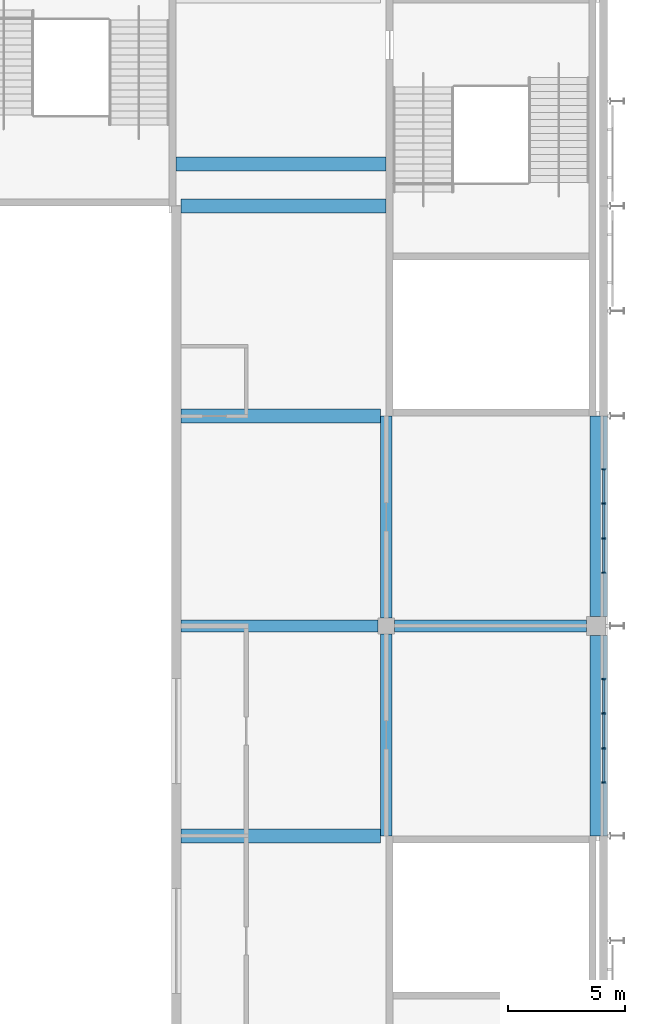
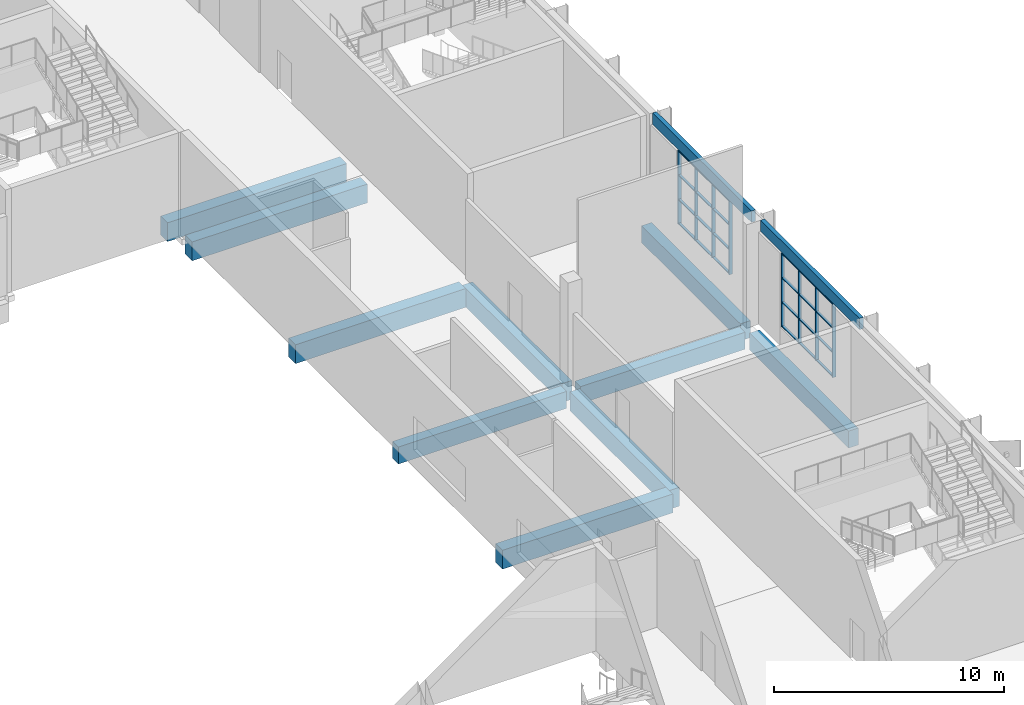
# One storey, part 23 of 84: 32 members, 12 beams, 2 elements without a shape of their own.
"""IFC4 building model written with IfcOpenShell, lengths in metres."""

from ifc_helpers import new_model, si_unit, direction, frame, origin, origin_2d, place, context, subcontext, project, spatial, rectangle, extrude, material, material_profile, profile_set, type_object, element, aggregate, save


model = new_model("IFC4")

# Units and contexts
model_context = context("Model", 3, precision=1e-05, world=origin(), true_north=direction((0.0, 1.0)))
body_context = subcontext(model_context, "Body", "Model", "MODEL_VIEW")
ifc_project = project(units=[si_unit("LENGTHUNIT", "METRE"), si_unit("AREAUNIT", "SQUARE_METRE"), si_unit("VOLUMEUNIT", "CUBIC_METRE"), si_unit("PLANEANGLEUNIT", "RADIAN"), si_unit("MASSUNIT", "GRAM", prefix="KILO")], contexts=[model_context])

# Site, building, storey
site_placement = place(None, origin())
site = spatial("IfcSite", under=ifc_project, at=site_placement, CompositionType="ELEMENT")
building_placement = place(site_placement, origin())
building = spatial("IfcBuilding", under=site, at=building_placement, Name="Silverbay Arena", CompositionType="ELEMENT")
storey_placement = place(building_placement, frame((0.0, 0.0, 28.0)))
storey = spatial("IfcBuildingStorey", under=building, at=storey_placement, Name="L04", CompositionType="ELEMENT", Elevation=28.0)

# Curtain wall, members
ifc_material_1 = material(Name="Aluminium framed curtain wall", Category="aluminium")
curtain_wall_type = type_object("IfcCurtainWallType", Name="Curtain wall 4500 x 3900", PredefinedType="NOTDEFINED", material=ifc_material_1)
curtain_wall_1_placement = place(storey_placement, origin())
curtain_wall_1 = element("IfcCurtainWall", 1, at=curtain_wall_1_placement, inside=storey, type_object=curtain_wall_type, Name="East curtain wall L04 bay 7", PredefinedType="NOTDEFINED")
ifc_material_2 = material(Name="Aluminium", Category="aluminium")
ifc_material_profile_1 = material_profile(ifc_material_2, rectangle(XDim=0.159912109375, YDim=0.06005859375, at=origin_2d()), Name="Mullion 60 x 160")
ifc_profile_set_1 = profile_set([ifc_material_profile_1], Name="Aluminium")
member_type_1 = type_object("IfcMemberType", Name="Mullion 60 x 160", PredefinedType="MULLION", material=ifc_profile_set_1)
member_1_placement = place(storey_placement, frame((207.330078125, 74.280029296875, 1.0), z_axis=(0.0, 0.0, 1.0), x_axis=(-1.0, 0.0, 0.0)))
member_1 = element("IfcMember", 2, at=member_1_placement, type_object=member_type_1, Name="CW15 mullion 1", PredefinedType="MULLION", context=body_context, shape_type="SweptSolid", body=[
    extrude(rectangle(XDim=0.159912109375, YDim=0.06005859375, at=origin_2d()), origin(), (0.0, 0.0, 1.0), 3.89990234375),
])
member_2_placement = place(storey_placement, frame((207.330078125, 75.75, 1.0), z_axis=(0.0, 0.0, 1.0), x_axis=(-1.0, 0.0, 0.0)))
member_2 = element("IfcMember", 3, at=member_2_placement, type_object=member_type_1, Name="CW15 mullion 2", PredefinedType="MULLION", context=body_context, shape_type="SweptSolid", body=[
    extrude(rectangle(XDim=0.159912109375, YDim=0.06005859375, at=origin_2d()), origin(), (0.0, 0.0, 1.0), 3.89990234375),
])
member_3_placement = place(storey_placement, frame((207.330078125, 77.25, 1.0), z_axis=(0.0, 0.0, 1.0), x_axis=(-1.0, 0.0, 0.0)))
member_3 = element("IfcMember", 4, at=member_3_placement, type_object=member_type_1, Name="CW15 mullion 3", PredefinedType="MULLION", context=body_context, shape_type="SweptSolid", body=[
    extrude(rectangle(XDim=0.159912109375, YDim=0.06005859375, at=origin_2d()), origin(), (0.0, 0.0, 1.0), 3.89990234375),
])
member_4_placement = place(storey_placement, frame((207.330078125, 78.719970703125, 1.0), z_axis=(0.0, 0.0, 1.0), x_axis=(-1.0, 0.0, 0.0)))
member_4 = element("IfcMember", 5, at=member_4_placement, type_object=member_type_1, Name="CW15 mullion 4", PredefinedType="MULLION", context=body_context, shape_type="SweptSolid", body=[
    extrude(rectangle(XDim=0.159912109375, YDim=0.06005859375, at=origin_2d()), origin(), (0.0, 0.0, 1.0), 3.89990234375),
])

curtain_wall_2_placement = place(storey_placement, origin())
curtain_wall_2 = element("IfcCurtainWall", 6, at=curtain_wall_2_placement, inside=storey, type_object=curtain_wall_type, Name="East curtain wall L04 bay 8", PredefinedType="NOTDEFINED")
member_5_placement = place(storey_placement, frame((207.330078125, 83.280029296875, 1.0), z_axis=(0.0, 0.0, 1.0), x_axis=(-1.0, 0.0, 0.0)))
member_5 = element("IfcMember", 7, at=member_5_placement, type_object=member_type_1, Name="CW15 mullion 1", PredefinedType="MULLION", context=body_context, shape_type="SweptSolid", body=[
    extrude(rectangle(XDim=0.159912109375, YDim=0.06005859375, at=origin_2d()), origin(), (0.0, 0.0, 1.0), 3.89990234375),
])
member_6_placement = place(storey_placement, frame((207.330078125, 84.75, 1.0), z_axis=(0.0, 0.0, 1.0), x_axis=(-1.0, 0.0, 0.0)))
member_6 = element("IfcMember", 8, at=member_6_placement, type_object=member_type_1, Name="CW15 mullion 2", PredefinedType="MULLION", context=body_context, shape_type="SweptSolid", body=[
    extrude(rectangle(XDim=0.159912109375, YDim=0.06005859375, at=origin_2d()), origin(), (0.0, 0.0, 1.0), 3.89990234375),
])
member_7_placement = place(storey_placement, frame((207.330078125, 86.25, 1.0), z_axis=(0.0, 0.0, 1.0), x_axis=(-1.0, 0.0, 0.0)))
member_7 = element("IfcMember", 9, at=member_7_placement, type_object=member_type_1, Name="CW15 mullion 3", PredefinedType="MULLION", context=body_context, shape_type="SweptSolid", body=[
    extrude(rectangle(XDim=0.159912109375, YDim=0.06005859375, at=origin_2d()), origin(), (0.0, 0.0, 1.0), 3.89990234375),
])
member_8_placement = place(storey_placement, frame((207.330078125, 87.719970703125, 1.0), z_axis=(0.0, 0.0, 1.0), x_axis=(-1.0, 0.0, 0.0)))
member_8 = element("IfcMember", 10, at=member_8_placement, type_object=member_type_1, Name="CW15 mullion 4", PredefinedType="MULLION", context=body_context, shape_type="SweptSolid", body=[
    extrude(rectangle(XDim=0.159912109375, YDim=0.06005859375, at=origin_2d()), origin(), (0.0, 0.0, 1.0), 3.89990234375),
])

# Beams
ifc_material_3 = material(Name="Concrete Grade C45", Category="concrete")
ifc_material_profile_2 = material_profile(ifc_material_3, rectangle(XDim=0.5, YDim=1.0, at=origin_2d()), Name="RC 500x1000")
ifc_profile_set_2 = profile_set([ifc_material_profile_2], Name="Concrete Grade C45")
beam_type_1 = type_object("IfcBeamType", Name="RC beam 500x1000", PredefinedType="BEAM", material=ifc_profile_set_2)
for number, where, z_axis, x_axis, name in (
    (11, (198.0, 72.0, -0.800048828125), (0.0, 1.0, 0.0), (-1.0, 0.0, 0.0), "Floor beam L04 148"),
    (12, (198.0, 81.35009765625, -0.800048828125), (0.0, 1.0, 0.0), (-1.0, 0.0, 0.0), "Floor beam L04 149"),
):
    element("IfcBeam", number, at=place(storey_placement, frame(where, z_axis=z_axis, x_axis=x_axis)), inside=storey, type_object=beam_type_1, Name=name, PredefinedType="BEAM", context=body_context, shape_type="SweptSolid", body=[
        extrude(rectangle(XDim=0.5, YDim=1.0, at=origin_2d()), origin(), (0.0, 0.0, 1.0), 8.64990234375),
    ])
ifc_material_4 = material(Name="Concrete Grade C45", Category="concrete")
ifc_material_profile_3 = material_profile(ifc_material_4, rectangle(XDim=0.5, YDim=0.89990234375, at=origin_2d()), Name="RC 500x900")
ifc_profile_set_3 = profile_set([ifc_material_profile_3], Name="Concrete Grade C45")
beam_type_2 = type_object("IfcBeamType", Name="RC beam 500x900", PredefinedType="BEAM", material=ifc_profile_set_3)
beam_1_placement = place(storey_placement, frame((189.199951171875, 81.0, -0.75), z_axis=(1.0, 0.0, 0.0), x_axis=(0.0, 1.0, 0.0)))
element("IfcBeam", 13, at=beam_1_placement, inside=storey, type_object=beam_type_2, Name="Floor beam L04 039", PredefinedType="BEAM", context=body_context, shape_type="SweptSolid", body=[
    extrude(rectangle(XDim=0.5, YDim=0.89990234375, at=origin_2d()), origin(), (0.0, 0.0, 1.0), 8.449951171875),
])
beam_2_placement = place(storey_placement, frame((198.35009765625, 81.0, -0.75), z_axis=(1.0, 0.0, 0.0), x_axis=(0.0, 1.0, 0.0)))
element("IfcBeam", 14, at=beam_2_placement, inside=storey, type_object=beam_type_2, Name="Floor beam L04 040", PredefinedType="BEAM", context=body_context, shape_type="SweptSolid", body=[
    extrude(rectangle(XDim=0.5, YDim=0.89990234375, at=origin_2d()), origin(), (0.0, 0.0, 1.0), 8.25),
])
for number, where, z_axis, x_axis, name in (
    (15, (207.0, 72.0, -0.75), (0.0, 1.0, 0.0), (-1.0, 0.0, 0.0), "Floor beam L04 156"),
    (16, (207.0, 81.39990234375, -0.75), (0.0, 1.0, 0.0), (-1.0, 0.0, 0.0), "Floor beam L04 157"),
):
    element("IfcBeam", number, at=place(storey_placement, frame(where, z_axis=z_axis, x_axis=x_axis)), inside=storey, type_object=beam_type_2, Name=name, PredefinedType="BEAM", context=body_context, shape_type="SweptSolid", body=[
        extrude(rectangle(XDim=0.5, YDim=0.89990234375, at=origin_2d()), origin(), (0.0, 0.0, 1.0), 8.60009765625),
    ])
ifc_material_5 = material(Name="Concrete Grade C45", Category="concrete")
ifc_material_profile_4 = material_profile(ifc_material_5, rectangle(XDim=0.60009765625, YDim=1.0, at=origin_2d()), Name="RC 600x1000")
ifc_profile_set_4 = profile_set([ifc_material_profile_4], Name="Concrete Grade C45")
beam_type_3 = type_object("IfcBeamType", Name="RC beam 600x1000", PredefinedType="BEAM", material=ifc_profile_set_4)
for number, where, z_axis, x_axis, name in (
    (17, (189.199951171875, 72.0, -0.800048828125), (1.0, 0.0, 0.0), (0.0, 1.0, 0.0), "Floor beam L04 036"),
    (18, (189.199951171875, 90.0, -0.800048828125), (1.0, 0.0, 0.0), (0.0, 1.0, 0.0), "Floor beam L04 042"),
):
    element("IfcBeam", number, at=place(storey_placement, frame(where, z_axis=z_axis, x_axis=x_axis)), inside=storey, type_object=beam_type_3, Name=name, PredefinedType="BEAM", context=body_context, shape_type="SweptSolid", body=[
        extrude(rectangle(XDim=0.60009765625, YDim=1.0, at=origin_2d()), origin(), (0.0, 0.0, 1.0), 8.550048828125),
    ])
beam_3_placement = place(storey_placement, frame((189.199951171875, 99.0, -0.800048828125), z_axis=(1.0, 0.0, 0.0), x_axis=(0.0, 1.0, 0.0)))
element("IfcBeam", 19, at=beam_3_placement, inside=storey, type_object=beam_type_3, Name="Floor beam L04 046", PredefinedType="BEAM", context=body_context, shape_type="SweptSolid", body=[
    extrude(rectangle(XDim=0.60009765625, YDim=1.0, at=origin_2d()), origin(), (0.0, 0.0, 1.0), 8.800048828125),
])
beam_4_placement = place(storey_placement, frame((189.0, 100.800048828125, -0.800048828125), z_axis=(1.0, 0.0, 0.0), x_axis=(0.0, 1.0, 0.0)))
element("IfcBeam", 20, at=beam_4_placement, inside=storey, type_object=beam_type_3, Name="Floor beam L04 050", PredefinedType="BEAM", context=body_context, shape_type="SweptSolid", body=[
    extrude(rectangle(XDim=0.60009765625, YDim=1.0, at=origin_2d()), origin(), (0.0, 0.0, 1.0), 9.0),
])
ifc_material_6 = material(Name="Concrete Grade C45", Category="concrete")
ifc_material_profile_5 = material_profile(ifc_material_6, rectangle(XDim=0.199951171875, YDim=0.60009765625, at=origin_2d()), Name="RC 200x600")
ifc_profile_set_5 = profile_set([ifc_material_profile_5], Name="Concrete Grade C45")
beam_type_4 = type_object("IfcBeamType", Name="RC facade beam 200x600", PredefinedType="SPANDREL", material=ifc_profile_set_5)
for number, where, z_axis, x_axis, name in (
    (21, (207.39990234375, 72.0, 5.199951171875), (0.0, 1.0, 0.0), (-1.0, 0.0, 0.0), "Facade beam L04 east"),
    (22, (207.39990234375, 81.39990234375, 5.199951171875), (0.0, 1.0, 0.0), (-1.0, 0.0, 0.0), "Facade beam L04 east"),
):
    element("IfcBeam", number, at=place(storey_placement, frame(where, z_axis=z_axis, x_axis=x_axis)), inside=storey, type_object=beam_type_4, Name=name, PredefinedType="SPANDREL", context=body_context, shape_type="SweptSolid", body=[
        extrude(rectangle(XDim=0.199951171875, YDim=0.60009765625, at=origin_2d()), origin(), (0.0, 0.0, 1.0), 8.60009765625),
    ])

# Member
ifc_material_7 = material(Name="Aluminium", Category="aluminium")
ifc_material_profile_6 = material_profile(ifc_material_7, rectangle(XDim=0.1201171875, YDim=0.050048828125, at=origin_2d()), Name="Transom 50 x 120")
ifc_profile_set_6 = profile_set([ifc_material_profile_6], Name="Aluminium")
member_type_2 = type_object("IfcMemberType", Name="Transom 50 x 120", PredefinedType="USERDEFINED", material=ifc_profile_set_6)
member_9_placement = place(storey_placement, frame((207.330078125, 74.31005859375, 1.02490234375), z_axis=(0.0, 1.0, 0.0), x_axis=(-1.0, 0.0, 0.0)))
member_9 = element("IfcMember", 23, at=member_9_placement, type_object=member_type_2, Name="CW15 transom 1.1", ObjectType="TRANSOM", PredefinedType="USERDEFINED", context=body_context, shape_type="SweptSolid", body=[
    extrude(rectangle(XDim=0.1201171875, YDim=0.050048828125, at=origin_2d()), origin(), (0.0, 0.0, 1.0), 1.409912109375),
])

member_10_placement = place(storey_placement, frame((207.330078125, 74.31005859375, 2.300048828125), z_axis=(0.0, 1.0, 0.0), x_axis=(-1.0, 0.0, 0.0)))
member_10 = element("IfcMember", 24, at=member_10_placement, type_object=member_type_2, Name="CW15 transom 1.2", ObjectType="TRANSOM", PredefinedType="USERDEFINED", context=body_context, shape_type="SweptSolid", body=[
    extrude(rectangle(XDim=0.1201171875, YDim=0.050048828125, at=origin_2d()), origin(), (0.0, 0.0, 1.0), 1.409912109375),
])

member_11_placement = place(storey_placement, frame((207.330078125, 74.31005859375, 3.60009765625), z_axis=(0.0, 1.0, 0.0), x_axis=(-1.0, 0.0, 0.0)))
member_11 = element("IfcMember", 25, at=member_11_placement, type_object=member_type_2, Name="CW15 transom 1.3", ObjectType="TRANSOM", PredefinedType="USERDEFINED", context=body_context, shape_type="SweptSolid", body=[
    extrude(rectangle(XDim=0.1201171875, YDim=0.050048828125, at=origin_2d()), origin(), (0.0, 0.0, 1.0), 1.409912109375),
])

member_12_placement = place(storey_placement, frame((207.330078125, 74.31005859375, 4.875), z_axis=(0.0, 1.0, 0.0), x_axis=(-1.0, 0.0, 0.0)))
member_12 = element("IfcMember", 26, at=member_12_placement, type_object=member_type_2, Name="CW15 transom 1.4", ObjectType="TRANSOM", PredefinedType="USERDEFINED", context=body_context, shape_type="SweptSolid", body=[
    extrude(rectangle(XDim=0.1201171875, YDim=0.050048828125, at=origin_2d()), origin(), (0.0, 0.0, 1.0), 1.409912109375),
])

member_13_placement = place(storey_placement, frame((207.330078125, 75.780029296875, 1.02490234375), z_axis=(0.0, 1.0, 0.0), x_axis=(-1.0, 0.0, 0.0)))
member_13 = element("IfcMember", 27, at=member_13_placement, type_object=member_type_2, Name="CW15 transom 2.1", ObjectType="TRANSOM", PredefinedType="USERDEFINED", context=body_context, shape_type="SweptSolid", body=[
    extrude(rectangle(XDim=0.1201171875, YDim=0.050048828125, at=origin_2d()), origin(), (0.0, 0.0, 1.0), 1.43994140625),
])

member_14_placement = place(storey_placement, frame((207.330078125, 75.780029296875, 2.300048828125), z_axis=(0.0, 1.0, 0.0), x_axis=(-1.0, 0.0, 0.0)))
member_14 = element("IfcMember", 28, at=member_14_placement, type_object=member_type_2, Name="CW15 transom 2.2", ObjectType="TRANSOM", PredefinedType="USERDEFINED", context=body_context, shape_type="SweptSolid", body=[
    extrude(rectangle(XDim=0.1201171875, YDim=0.050048828125, at=origin_2d()), origin(), (0.0, 0.0, 1.0), 1.43994140625),
])

member_15_placement = place(storey_placement, frame((207.330078125, 75.780029296875, 3.60009765625), z_axis=(0.0, 1.0, 0.0), x_axis=(-1.0, 0.0, 0.0)))
member_15 = element("IfcMember", 29, at=member_15_placement, type_object=member_type_2, Name="CW15 transom 2.3", ObjectType="TRANSOM", PredefinedType="USERDEFINED", context=body_context, shape_type="SweptSolid", body=[
    extrude(rectangle(XDim=0.1201171875, YDim=0.050048828125, at=origin_2d()), origin(), (0.0, 0.0, 1.0), 1.43994140625),
])

member_16_placement = place(storey_placement, frame((207.330078125, 75.780029296875, 4.875), z_axis=(0.0, 1.0, 0.0), x_axis=(-1.0, 0.0, 0.0)))
member_16 = element("IfcMember", 30, at=member_16_placement, type_object=member_type_2, Name="CW15 transom 2.4", ObjectType="TRANSOM", PredefinedType="USERDEFINED", context=body_context, shape_type="SweptSolid", body=[
    extrude(rectangle(XDim=0.1201171875, YDim=0.050048828125, at=origin_2d()), origin(), (0.0, 0.0, 1.0), 1.43994140625),
])

member_17_placement = place(storey_placement, frame((207.330078125, 77.280029296875, 1.02490234375), z_axis=(0.0, 1.0, 0.0), x_axis=(-1.0, 0.0, 0.0)))
member_17 = element("IfcMember", 31, at=member_17_placement, type_object=member_type_2, Name="CW15 transom 3.1", ObjectType="TRANSOM", PredefinedType="USERDEFINED", context=body_context, shape_type="SweptSolid", body=[
    extrude(rectangle(XDim=0.1201171875, YDim=0.050048828125, at=origin_2d()), origin(), (0.0, 0.0, 1.0), 1.409912109375),
])

member_18_placement = place(storey_placement, frame((207.330078125, 77.280029296875, 2.300048828125), z_axis=(0.0, 1.0, 0.0), x_axis=(-1.0, 0.0, 0.0)))
member_18 = element("IfcMember", 32, at=member_18_placement, type_object=member_type_2, Name="CW15 transom 3.2", ObjectType="TRANSOM", PredefinedType="USERDEFINED", context=body_context, shape_type="SweptSolid", body=[
    extrude(rectangle(XDim=0.1201171875, YDim=0.050048828125, at=origin_2d()), origin(), (0.0, 0.0, 1.0), 1.409912109375),
])

member_19_placement = place(storey_placement, frame((207.330078125, 77.280029296875, 3.60009765625), z_axis=(0.0, 1.0, 0.0), x_axis=(-1.0, 0.0, 0.0)))
member_19 = element("IfcMember", 33, at=member_19_placement, type_object=member_type_2, Name="CW15 transom 3.3", ObjectType="TRANSOM", PredefinedType="USERDEFINED", context=body_context, shape_type="SweptSolid", body=[
    extrude(rectangle(XDim=0.1201171875, YDim=0.050048828125, at=origin_2d()), origin(), (0.0, 0.0, 1.0), 1.409912109375),
])

member_20_placement = place(storey_placement, frame((207.330078125, 77.280029296875, 4.875), z_axis=(0.0, 1.0, 0.0), x_axis=(-1.0, 0.0, 0.0)))
member_20 = element("IfcMember", 34, at=member_20_placement, type_object=member_type_2, Name="CW15 transom 3.4", ObjectType="TRANSOM", PredefinedType="USERDEFINED", context=body_context, shape_type="SweptSolid", body=[
    extrude(rectangle(XDim=0.1201171875, YDim=0.050048828125, at=origin_2d()), origin(), (0.0, 0.0, 1.0), 1.409912109375),
])

aggregate(curtain_wall_1, [member_1, member_2, member_3, member_4, member_9, member_10, member_11, member_12, member_13, member_14, member_15, member_16, member_17, member_18, member_19, member_20])

member_21_placement = place(storey_placement, frame((207.330078125, 83.31005859375, 1.02490234375), z_axis=(0.0, 1.0, 0.0), x_axis=(-1.0, 0.0, 0.0)))
member_21 = element("IfcMember", 35, at=member_21_placement, type_object=member_type_2, Name="CW15 transom 1.1", ObjectType="TRANSOM", PredefinedType="USERDEFINED", context=body_context, shape_type="SweptSolid", body=[
    extrude(rectangle(XDim=0.1201171875, YDim=0.050048828125, at=origin_2d()), origin(), (0.0, 0.0, 1.0), 1.409912109375),
])

member_22_placement = place(storey_placement, frame((207.330078125, 83.31005859375, 2.300048828125), z_axis=(0.0, 1.0, 0.0), x_axis=(-1.0, 0.0, 0.0)))
member_22 = element("IfcMember", 36, at=member_22_placement, type_object=member_type_2, Name="CW15 transom 1.2", ObjectType="TRANSOM", PredefinedType="USERDEFINED", context=body_context, shape_type="SweptSolid", body=[
    extrude(rectangle(XDim=0.1201171875, YDim=0.050048828125, at=origin_2d()), origin(), (0.0, 0.0, 1.0), 1.409912109375),
])

member_23_placement = place(storey_placement, frame((207.330078125, 83.31005859375, 3.60009765625), z_axis=(0.0, 1.0, 0.0), x_axis=(-1.0, 0.0, 0.0)))
member_23 = element("IfcMember", 37, at=member_23_placement, type_object=member_type_2, Name="CW15 transom 1.3", ObjectType="TRANSOM", PredefinedType="USERDEFINED", context=body_context, shape_type="SweptSolid", body=[
    extrude(rectangle(XDim=0.1201171875, YDim=0.050048828125, at=origin_2d()), origin(), (0.0, 0.0, 1.0), 1.409912109375),
])

member_24_placement = place(storey_placement, frame((207.330078125, 83.31005859375, 4.875), z_axis=(0.0, 1.0, 0.0), x_axis=(-1.0, 0.0, 0.0)))
member_24 = element("IfcMember", 38, at=member_24_placement, type_object=member_type_2, Name="CW15 transom 1.4", ObjectType="TRANSOM", PredefinedType="USERDEFINED", context=body_context, shape_type="SweptSolid", body=[
    extrude(rectangle(XDim=0.1201171875, YDim=0.050048828125, at=origin_2d()), origin(), (0.0, 0.0, 1.0), 1.409912109375),
])

member_25_placement = place(storey_placement, frame((207.330078125, 84.780029296875, 1.02490234375), z_axis=(0.0, 1.0, 0.0), x_axis=(-1.0, 0.0, 0.0)))
member_25 = element("IfcMember", 39, at=member_25_placement, type_object=member_type_2, Name="CW15 transom 2.1", ObjectType="TRANSOM", PredefinedType="USERDEFINED", context=body_context, shape_type="SweptSolid", body=[
    extrude(rectangle(XDim=0.1201171875, YDim=0.050048828125, at=origin_2d()), origin(), (0.0, 0.0, 1.0), 1.43994140625),
])

member_26_placement = place(storey_placement, frame((207.330078125, 84.780029296875, 2.300048828125), z_axis=(0.0, 1.0, 0.0), x_axis=(-1.0, 0.0, 0.0)))
member_26 = element("IfcMember", 40, at=member_26_placement, type_object=member_type_2, Name="CW15 transom 2.2", ObjectType="TRANSOM", PredefinedType="USERDEFINED", context=body_context, shape_type="SweptSolid", body=[
    extrude(rectangle(XDim=0.1201171875, YDim=0.050048828125, at=origin_2d()), origin(), (0.0, 0.0, 1.0), 1.43994140625),
])

member_27_placement = place(storey_placement, frame((207.330078125, 84.780029296875, 3.60009765625), z_axis=(0.0, 1.0, 0.0), x_axis=(-1.0, 0.0, 0.0)))
member_27 = element("IfcMember", 41, at=member_27_placement, type_object=member_type_2, Name="CW15 transom 2.3", ObjectType="TRANSOM", PredefinedType="USERDEFINED", context=body_context, shape_type="SweptSolid", body=[
    extrude(rectangle(XDim=0.1201171875, YDim=0.050048828125, at=origin_2d()), origin(), (0.0, 0.0, 1.0), 1.43994140625),
])

member_28_placement = place(storey_placement, frame((207.330078125, 84.780029296875, 4.875), z_axis=(0.0, 1.0, 0.0), x_axis=(-1.0, 0.0, 0.0)))
member_28 = element("IfcMember", 42, at=member_28_placement, type_object=member_type_2, Name="CW15 transom 2.4", ObjectType="TRANSOM", PredefinedType="USERDEFINED", context=body_context, shape_type="SweptSolid", body=[
    extrude(rectangle(XDim=0.1201171875, YDim=0.050048828125, at=origin_2d()), origin(), (0.0, 0.0, 1.0), 1.43994140625),
])

member_29_placement = place(storey_placement, frame((207.330078125, 86.280029296875, 1.02490234375), z_axis=(0.0, 1.0, 0.0), x_axis=(-1.0, 0.0, 0.0)))
member_29 = element("IfcMember", 43, at=member_29_placement, type_object=member_type_2, Name="CW15 transom 3.1", ObjectType="TRANSOM", PredefinedType="USERDEFINED", context=body_context, shape_type="SweptSolid", body=[
    extrude(rectangle(XDim=0.1201171875, YDim=0.050048828125, at=origin_2d()), origin(), (0.0, 0.0, 1.0), 1.409912109375),
])

member_30_placement = place(storey_placement, frame((207.330078125, 86.280029296875, 2.300048828125), z_axis=(0.0, 1.0, 0.0), x_axis=(-1.0, 0.0, 0.0)))
member_30 = element("IfcMember", 44, at=member_30_placement, type_object=member_type_2, Name="CW15 transom 3.2", ObjectType="TRANSOM", PredefinedType="USERDEFINED", context=body_context, shape_type="SweptSolid", body=[
    extrude(rectangle(XDim=0.1201171875, YDim=0.050048828125, at=origin_2d()), origin(), (0.0, 0.0, 1.0), 1.409912109375),
])

member_31_placement = place(storey_placement, frame((207.330078125, 86.280029296875, 3.60009765625), z_axis=(0.0, 1.0, 0.0), x_axis=(-1.0, 0.0, 0.0)))
member_31 = element("IfcMember", 45, at=member_31_placement, type_object=member_type_2, Name="CW15 transom 3.3", ObjectType="TRANSOM", PredefinedType="USERDEFINED", context=body_context, shape_type="SweptSolid", body=[
    extrude(rectangle(XDim=0.1201171875, YDim=0.050048828125, at=origin_2d()), origin(), (0.0, 0.0, 1.0), 1.409912109375),
])

member_32_placement = place(storey_placement, frame((207.330078125, 86.280029296875, 4.875), z_axis=(0.0, 1.0, 0.0), x_axis=(-1.0, 0.0, 0.0)))
member_32 = element("IfcMember", 46, at=member_32_placement, type_object=member_type_2, Name="CW15 transom 3.4", ObjectType="TRANSOM", PredefinedType="USERDEFINED", context=body_context, shape_type="SweptSolid", body=[
    extrude(rectangle(XDim=0.1201171875, YDim=0.050048828125, at=origin_2d()), origin(), (0.0, 0.0, 1.0), 1.409912109375),
])

aggregate(curtain_wall_2, [member_5, member_6, member_7, member_8, member_21, member_22, member_23, member_24, member_25, member_26, member_27, member_28, member_29, member_30, member_31, member_32])

save(model, "model.ifc")
